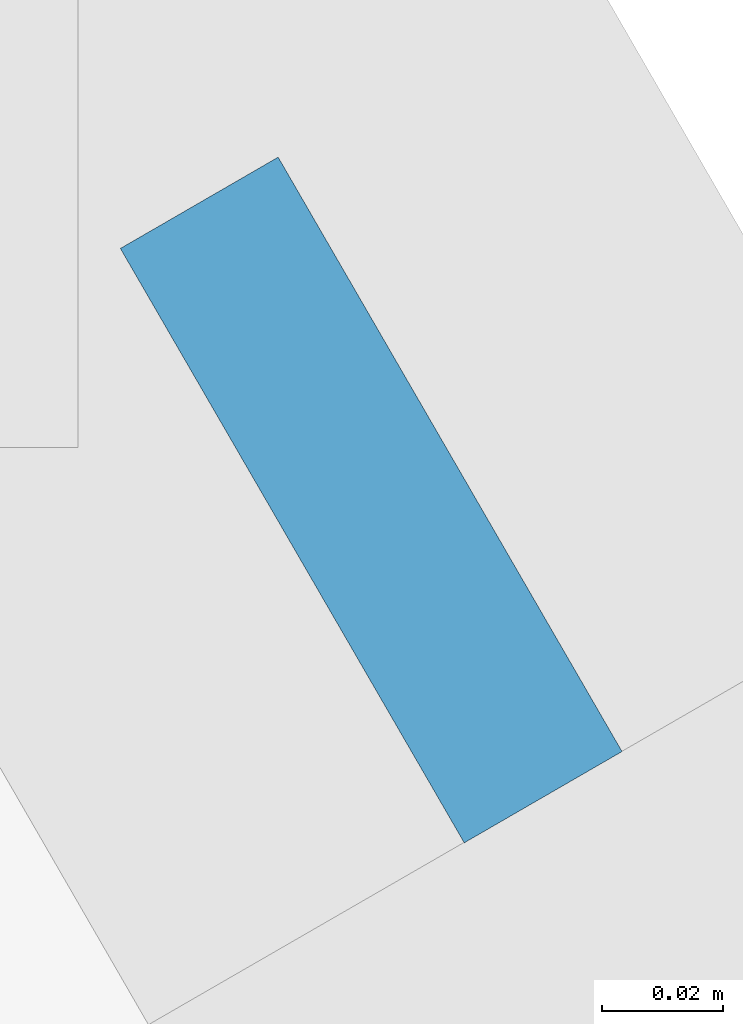
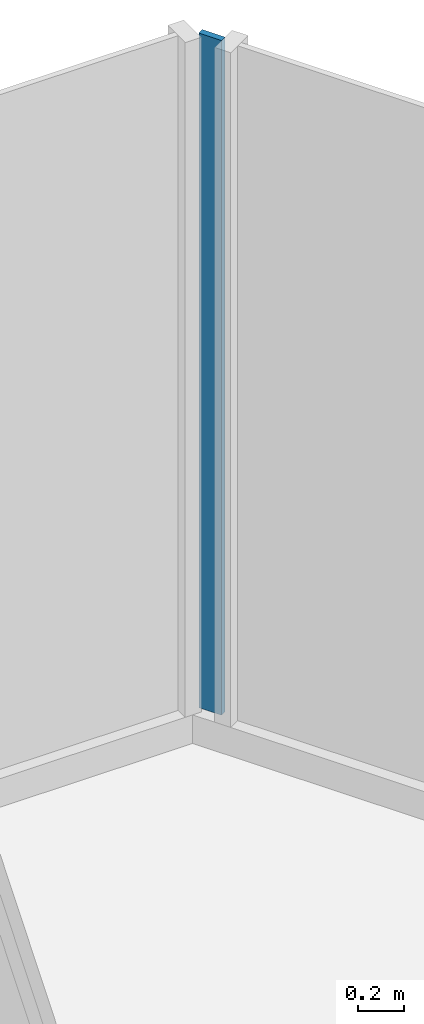
# One storey, part 24 of 32: 1 plate, 1 element without a shape of its own.
"""IFC4 building model written with IfcOpenShell, lengths in metres."""

from ifc_helpers import new_model, si_unit, direction, frame, origin, place, context, subcontext, project, spatial, polyline, outline, extrude, material, layer, layer_set, type_object, element, aggregate, save


model = new_model("IFC4")

# Units and contexts
model_context = context("Model", 3, precision=1e-05, world=origin(), true_north=direction((0.0, 1.0)))
body_context = subcontext(model_context, "Body", "Model", "MODEL_VIEW")
ifc_project = project(units=[si_unit("LENGTHUNIT", "METRE"), si_unit("AREAUNIT", "SQUARE_METRE"), si_unit("VOLUMEUNIT", "CUBIC_METRE"), si_unit("PLANEANGLEUNIT", "RADIAN"), si_unit("MASSUNIT", "GRAM", prefix="KILO")], contexts=[model_context])

# Site, building, storey
site_placement = place(None, origin())
site = spatial("IfcSite", under=ifc_project, at=site_placement, CompositionType="ELEMENT")
building_placement = place(site_placement, origin())
building = spatial("IfcBuilding", under=site, at=building_placement, Name="Firuza Gate Tower and Library", CompositionType="ELEMENT")
storey_placement = place(building_placement, frame((0.0, 0.0, 163.60009765625)))
storey = spatial("IfcBuildingStorey", under=building, at=storey_placement, Name="L37", CompositionType="ELEMENT", Elevation=163.60009765625)

# Curtain wall, plate
ifc_material_1 = material(Name="Aluminium 6063-T6", Category="aluminium")
ifc_layer_1 = layer(ifc_material_1, 0.14990234375)
ifc_layer_set_1 = layer_set([ifc_layer_1], Name="Unitised curtain wall, hotel")
curtain_wall_type = type_object("IfcCurtainWallType", Name="Unitised curtain wall, hotel", PredefinedType="NOTDEFINED", material=ifc_layer_set_1)
curtain_wall_placement = place(storey_placement, origin())
curtain_wall = element("IfcCurtainWall", 1, at=curtain_wall_placement, inside=storey, type_object=curtain_wall_type, Name="CW2 L37 E face", PredefinedType="NOTDEFINED")
ifc_material_2 = material(Name="Glazed ceramic tile")
ifc_layer_2 = layer(ifc_material_2, 0.030029296875)
ifc_layer_set_2 = layer_set([ifc_layer_2], Name="Opaque ceramic panel, hotel")
plate_type = type_object("IfcPlateType", Name="Opaque ceramic panel, hotel", PredefinedType="CURTAIN_PANEL", material=ifc_layer_set_2)
plate_placement = place(storey_placement, frame((78.73291015625, 108.392333984375, 0.14990234375), z_axis=(0.865574031608, 0.500780985868, 0.0), x_axis=(-0.500780985868, 0.865574031608, 0.0)))
plate = element("IfcPlate", 2, at=plate_placement, type_object=plate_type, Name="Opaque ceramic panel", PredefinedType="CURTAIN_PANEL", context=body_context, shape_type="SweptSolid", body=[
    extrude(outline(polyline([(0.0, 0.0), (0.11310458383689945, 0.0), (0.11310458383689945, 3.550048828125), (0.0, 3.550048828125), (0.0, 0.0)])), origin(), (0.0, 0.0, -1.0), 0.030029296875),
])
aggregate(curtain_wall, [plate])

save(model, "model.ifc")
